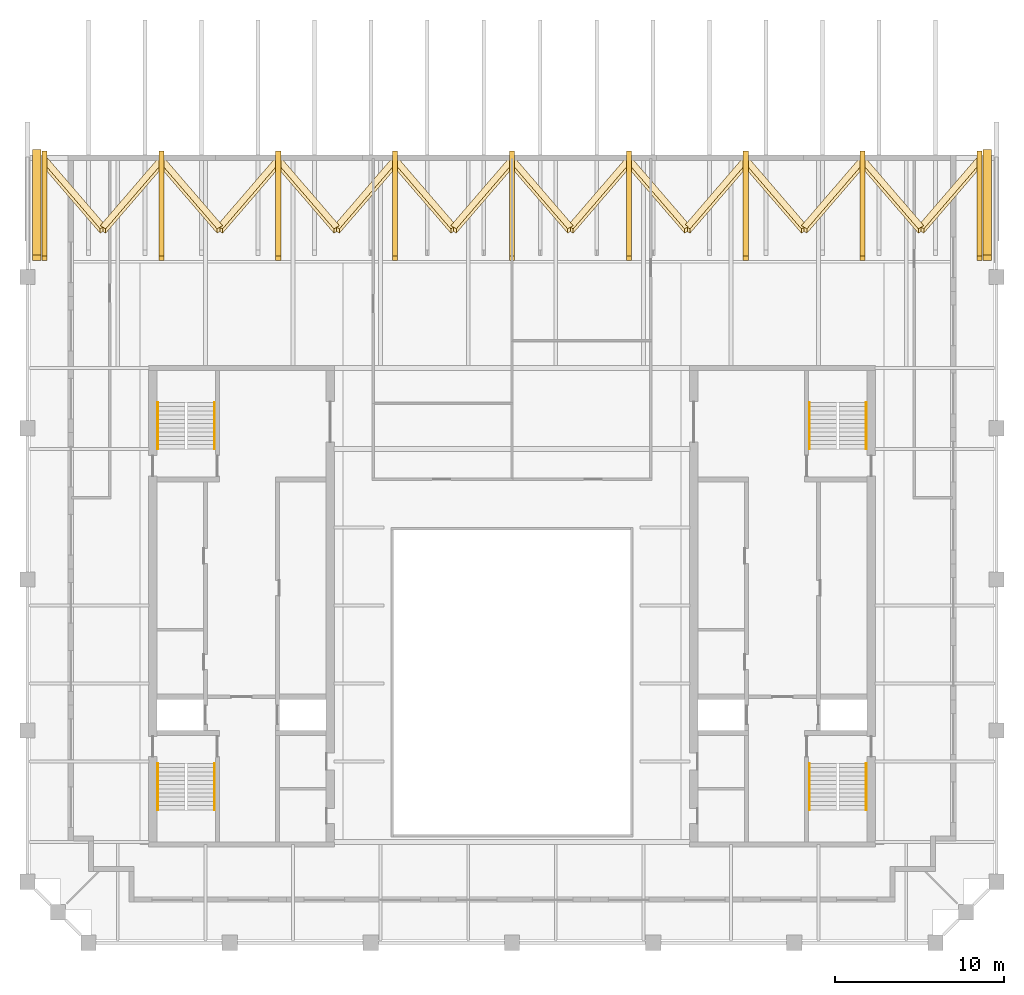
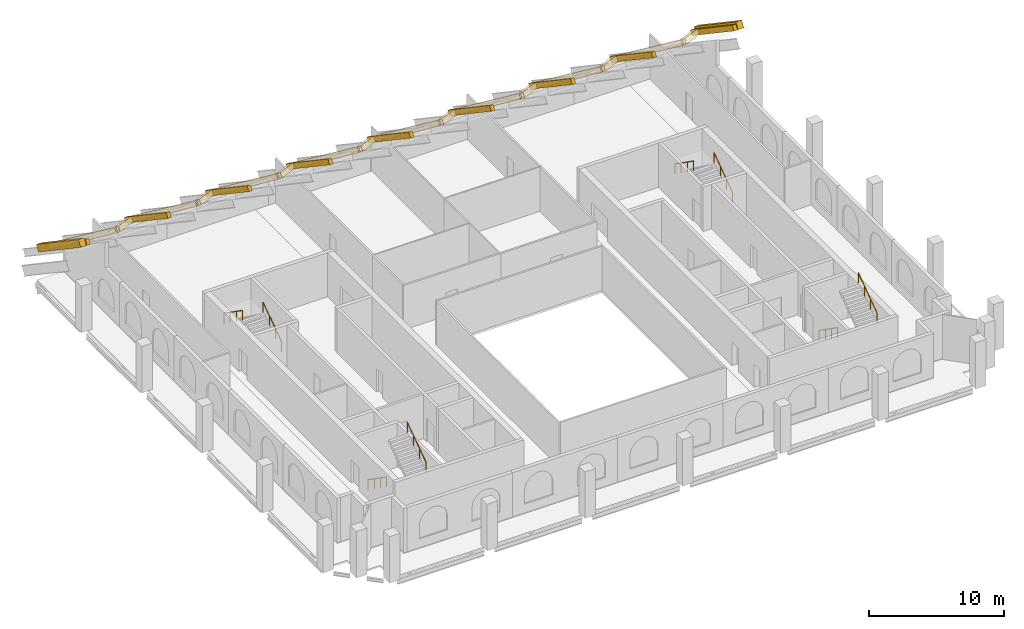
# One storey, part 8 of 8: 27 coverings, 8 railings.
"""IFC4 building model written with IfcOpenShell, lengths in metres."""

from ifc_helpers import new_model, si_unit, direction, frame, origin, origin_2d, place, context, subcontext, project, spatial, rectangle, circle, extrude, material, material_profile, profile_set, type_object, element, save


model = new_model("IFC4")

# Units and contexts
model_context = context("Model", 3, precision=1e-05, world=origin(), true_north=direction((0.0, 1.0)))
body_context = subcontext(model_context, "Body", "Model", "MODEL_VIEW")
ifc_project = project(units=[si_unit("LENGTHUNIT", "METRE"), si_unit("AREAUNIT", "SQUARE_METRE"), si_unit("VOLUMEUNIT", "CUBIC_METRE"), si_unit("PLANEANGLEUNIT", "RADIAN"), si_unit("MASSUNIT", "GRAM", prefix="KILO")], contexts=[model_context])

# Site, building, storey
site_placement = place(None, origin())
site = spatial("IfcSite", under=ifc_project, at=site_placement, CompositionType="ELEMENT")
building_placement = place(site_placement, origin())
building = spatial("IfcBuilding", under=site, at=building_placement, Name="Ogive Exchange Tower", CompositionType="ELEMENT")
storey_placement = place(building_placement, frame((0.0, 0.0, 381.60009765625)))
storey = spatial("IfcBuildingStorey", under=building, at=storey_placement, Name="C04", CompositionType="ELEMENT", Elevation=381.60009765625)

# Railings
ifc_material_1 = material(Name="Stainless steel", Category="steel")
railing_type = type_object("IfcRailingType", Name="Stair handrail 900", PredefinedType="HANDRAIL", material=ifc_material_1)
railing_1_placement = place(storey_placement, frame((-20.949951171875, 2.199951171875, 0.1748046875)))
element("IfcRailing", 1, at=railing_1_placement, inside=storey, type_object=railing_type, Name="C04 ST1 stair handrail 1", PredefinedType="HANDRAIL", context=body_context, shape_type="SweptSolid", body=[
    extrude(circle(Radius=0.02392578125, at=origin_2d()), frame((0.0, 0.0, 0.8759765625), z_axis=(0.0, -0.819225086817, 0.573472106672), x_axis=(1.0, 0.0, 0.0)), (0.0, 0.0, 1.0), 3.35693359375),
    extrude(circle(Radius=0.02099609375, at=origin_2d()), origin(), (0.0, 0.0, 1.0), 0.851806640625),
    extrude(circle(Radius=0.02099609375, at=origin_2d()), frame((0.0, -0.916748046875, 0.6416015625)), (0.0, 0.0, 1.0), 0.851806640625),
    extrude(circle(Radius=0.02099609375, at=origin_2d()), frame((0.0, -1.833251953125, 1.283447265625)), (0.0, 0.0, 1.0), 0.851806640625),
    extrude(circle(Radius=0.02099609375, at=origin_2d()), frame((0.0, -2.75, 1.925048828125)), (0.0, 0.0, 1.0), 0.851806640625),
])
for number, where, name in (
    (2, (-17.60009765625, -0.550048828125, 2.27490234375), "C04 ST1 stair handrail 2"),
    (3, (-17.60009765625, 20.800048828125, 0.1748046875), "C04 ST2 stair handrail 1"),
):
    element("IfcRailing", number, at=place(storey_placement, frame(where)), inside=storey, type_object=railing_type, Name=name, PredefinedType="HANDRAIL", context=body_context, shape_type="SweptSolid", body=[
        extrude(circle(Radius=0.02392578125, at=origin_2d()), frame((0.0, 0.0, 0.8759765625), z_axis=(0.0, 0.819225086817, 0.573472106672), x_axis=(-1.0, 0.0, 0.0)), (0.0, 0.0, 1.0), 3.35693359375),
        extrude(circle(Radius=0.02099609375, at=origin_2d()), origin(), (0.0, 0.0, 1.0), 0.851806640625),
        extrude(circle(Radius=0.02099609375, at=origin_2d()), frame((0.0, 0.916748046875, 0.6416015625)), (0.0, 0.0, 1.0), 0.851806640625),
        extrude(circle(Radius=0.02099609375, at=origin_2d()), frame((0.0, 1.833251953125, 1.283447265625)), (0.0, 0.0, 1.0), 0.851806640625),
        extrude(circle(Radius=0.02099609375, at=origin_2d()), frame((0.0, 2.75, 1.925048828125)), (0.0, 0.0, 1.0), 0.851806640625),
    ])
for number, where, name in (
    (4, (-20.949951171875, 23.550048828125, 2.27490234375), "C04 ST2 stair handrail 2"),
    (5, (17.60009765625, 2.199951171875, 0.1748046875), "C04 ST3 stair handrail 1"),
):
    element("IfcRailing", number, at=place(storey_placement, frame(where)), inside=storey, type_object=railing_type, Name=name, PredefinedType="HANDRAIL", context=body_context, shape_type="SweptSolid", body=[
        extrude(circle(Radius=0.02392578125, at=origin_2d()), frame((0.0, 0.0, 0.8759765625), z_axis=(0.0, -0.819225086817, 0.573472106672), x_axis=(1.0, 0.0, 0.0)), (0.0, 0.0, 1.0), 3.35693359375),
        extrude(circle(Radius=0.02099609375, at=origin_2d()), origin(), (0.0, 0.0, 1.0), 0.851806640625),
        extrude(circle(Radius=0.02099609375, at=origin_2d()), frame((0.0, -0.916748046875, 0.6416015625)), (0.0, 0.0, 1.0), 0.851806640625),
        extrude(circle(Radius=0.02099609375, at=origin_2d()), frame((0.0, -1.833251953125, 1.283447265625)), (0.0, 0.0, 1.0), 0.851806640625),
        extrude(circle(Radius=0.02099609375, at=origin_2d()), frame((0.0, -2.75, 1.925048828125)), (0.0, 0.0, 1.0), 0.851806640625),
    ])
for number, where, name in (
    (6, (20.949951171875, -0.550048828125, 2.27490234375), "C04 ST3 stair handrail 2"),
    (7, (20.949951171875, 20.800048828125, 0.1748046875), "C04 ST4 stair handrail 1"),
):
    element("IfcRailing", number, at=place(storey_placement, frame(where)), inside=storey, type_object=railing_type, Name=name, PredefinedType="HANDRAIL", context=body_context, shape_type="SweptSolid", body=[
        extrude(circle(Radius=0.02392578125, at=origin_2d()), frame((0.0, 0.0, 0.8759765625), z_axis=(0.0, 0.819225086817, 0.573472106672), x_axis=(-1.0, 0.0, 0.0)), (0.0, 0.0, 1.0), 3.35693359375),
        extrude(circle(Radius=0.02099609375, at=origin_2d()), origin(), (0.0, 0.0, 1.0), 0.851806640625),
        extrude(circle(Radius=0.02099609375, at=origin_2d()), frame((0.0, 0.916748046875, 0.6416015625)), (0.0, 0.0, 1.0), 0.851806640625),
        extrude(circle(Radius=0.02099609375, at=origin_2d()), frame((0.0, 1.833251953125, 1.283447265625)), (0.0, 0.0, 1.0), 0.851806640625),
        extrude(circle(Radius=0.02099609375, at=origin_2d()), frame((0.0, 2.75, 1.925048828125)), (0.0, 0.0, 1.0), 0.851806640625),
    ])
railing_2_placement = place(storey_placement, frame((17.60009765625, 23.550048828125, 2.27490234375)))
element("IfcRailing", 8, at=railing_2_placement, inside=storey, type_object=railing_type, Name="C04 ST4 stair handrail 2", PredefinedType="HANDRAIL", context=body_context, shape_type="SweptSolid", body=[
    extrude(circle(Radius=0.02392578125, at=origin_2d()), frame((0.0, 0.0, 0.8759765625), z_axis=(0.0, -0.819225086817, 0.573472106672), x_axis=(1.0, 0.0, 0.0)), (0.0, 0.0, 1.0), 3.35693359375),
    extrude(circle(Radius=0.02099609375, at=origin_2d()), origin(), (0.0, 0.0, 1.0), 0.851806640625),
    extrude(circle(Radius=0.02099609375, at=origin_2d()), frame((0.0, -0.916748046875, 0.6416015625)), (0.0, 0.0, 1.0), 0.851806640625),
    extrude(circle(Radius=0.02099609375, at=origin_2d()), frame((0.0, -1.833251953125, 1.283447265625)), (0.0, 0.0, 1.0), 0.851806640625),
    extrude(circle(Radius=0.02099609375, at=origin_2d()), frame((0.0, -2.75, 1.925048828125)), (0.0, 0.0, 1.0), 0.851806640625),
])

# Coverings
ifc_material_2 = material(Name="Limestone cladding on precast concrete", Category="masonry")
ifc_material_profile_1 = material_profile(ifc_material_2, rectangle(XDim=0.5, YDim=0.60009765625, at=origin_2d()), Name="CORNICE 500 x 600")
ifc_profile_set_1 = profile_set([ifc_material_profile_1], Name="Limestone cladding on precast concrete")
covering_type_1 = type_object("IfcCoveringType", Name="Stone cornice course 500 x 600", PredefinedType="CLADDING", material=ifc_profile_set_1)
for number, where, z_axis, x_axis, name in (
    (9, (-28.10009765625, 32.114990234375, 6.848876953125), (0.0, 0.82905285538, -0.559170245083), (-1.0, 0.0, 0.0), "Stone cornice course"),
    (10, (28.10009765625, 32.114990234375, 6.848876953125), (0.0, 0.82905285538, -0.559170245083), (-1.0, 0.0, 0.0), "Stone cornice course"),
):
    element("IfcCovering", number, at=place(storey_placement, frame(where, z_axis=z_axis, x_axis=x_axis)), inside=storey, type_object=covering_type_1, Name=name, PredefinedType="CLADDING", context=body_context, shape_type="SweptSolid", body=[
        extrude(rectangle(XDim=0.5, YDim=0.60009765625, at=origin_2d()), origin(), (0.0, 0.0, 1.0), 7.510986328125),
    ])
ifc_material_profile_2 = material_profile(ifc_material_2, rectangle(XDim=0.300048828125, YDim=0.449951171875, at=origin_2d()), Name="RIB 300 x 450")
ifc_profile_set_2 = profile_set([ifc_material_profile_2], Name="Limestone cladding on precast concrete")
covering_type_2 = type_object("IfcCoveringType", Name="Stone roof rib 300 x 450", PredefinedType="CLADDING", material=ifc_profile_set_2)
for number, where, z_axis, x_axis, name in (
    (11, (-27.64990234375, 38.300048828125, 2.5869140625), (0.0, -0.829072479306, 0.5591411486), (1.0, 0.0, 0.0), "Stone roof rib"),
    (12, (-20.737060546875, 38.300048828125, 2.5869140625), (0.0, -0.829072479306, 0.5591411486), (1.0, 0.0, 0.0), "Stone roof rib"),
    (13, (-13.824951171875, 38.300048828125, 2.5869140625), (0.0, -0.829072479306, 0.5591411486), (1.0, 0.0, 0.0), "Stone roof rib"),
    (14, (-6.9130859375, 38.300048828125, 2.5869140625), (0.0, -0.829072479306, 0.5591411486), (1.0, 0.0, 0.0), "Stone roof rib"),
    (15, (0.0, 38.300048828125, 2.5869140625), (0.0, -0.829072479306, 0.5591411486), (1.0, 0.0, 0.0), "Stone roof rib"),
    (16, (6.9130859375, 38.300048828125, 2.5869140625), (0.0, -0.829072479306, 0.5591411486), (1.0, 0.0, 0.0), "Stone roof rib"),
    (17, (13.824951171875, 38.300048828125, 2.5869140625), (0.0, -0.829072479306, 0.5591411486), (1.0, 0.0, 0.0), "Stone roof rib"),
    (18, (20.737060546875, 38.300048828125, 2.5869140625), (0.0, -0.829072479306, 0.5591411486), (1.0, 0.0, 0.0), "Stone roof rib"),
    (19, (27.64990234375, 38.300048828125, 2.5869140625), (0.0, -0.829072479306, 0.5591411486), (1.0, 0.0, 0.0), "Stone roof rib"),
):
    element("IfcCovering", number, at=place(storey_placement, frame(where, z_axis=z_axis, x_axis=x_axis)), inside=storey, type_object=covering_type_2, Name=name, PredefinedType="CLADDING", context=body_context, shape_type="SweptSolid", body=[
        extrude(rectangle(XDim=0.300048828125, YDim=0.449951171875, at=origin_2d()), origin(), (0.0, 0.0, 1.0), 7.509765625),
    ])
ifc_material_profile_3 = material_profile(ifc_material_2, rectangle(XDim=0.39990234375, YDim=0.449951171875, at=origin_2d()), Name="TRACERY 400 x 450")
ifc_profile_set_3 = profile_set([ifc_material_profile_3], Name="Limestone cladding on precast concrete")
covering_type_3 = type_object("IfcCoveringType", Name="Stone tracery arch 400 x 450", PredefinedType="CLADDING", material=ifc_profile_set_3)
covering_1_placement = place(storey_placement, frame((-27.64990234375, 37.800048828125, 2.923828125), z_axis=(0.581147534027, -0.674673078535, 0.455064589696), x_axis=(0.813798219588, 0.481769317244, -0.325008896428)))
element("IfcCovering", 20, at=covering_1_placement, inside=storey, type_object=covering_type_3, Name="Stone tracery arch", PredefinedType="CLADDING", context=body_context, shape_type="SweptSolid", body=[
    extrude(rectangle(XDim=0.39990234375, YDim=0.449951171875, at=origin_2d()), origin(), (0.0, 0.0, 1.0), 5.946533203125),
])
covering_2_placement = place(storey_placement, frame((-20.737060546875, 37.800048828125, 2.923828125), z_axis=(-0.581283459948, -0.674592591619, 0.455010301558), x_axis=(0.813701135867, -0.481926443477, 0.325019021853)))
element("IfcCovering", 21, at=covering_2_placement, inside=storey, type_object=covering_type_3, Name="Stone tracery arch", PredefinedType="CLADDING", context=body_context, shape_type="SweptSolid", body=[
    extrude(rectangle(XDim=0.39990234375, YDim=0.449951171875, at=origin_2d()), origin(), (0.0, 0.0, 1.0), 5.947265625),
])
for number, where, z_axis, x_axis, name in (
    (22, (-20.737060546875, 37.800048828125, 2.923828125), (0.581174723103, -0.674656981121, 0.455053732048), (0.813778803618, 0.481820266966, -0.324981982766), "Stone tracery arch"),
    (23, (-13.824951171875, 37.800048828125, 2.923828125), (-0.581174723103, -0.674656981121, 0.455053732048), (0.813778803618, -0.481820266966, 0.324981982766), "Stone tracery arch"),
    (24, (-13.824951171875, 37.800048828125, 2.923828125), (0.581174723103, -0.674656981121, 0.455053732048), (0.813778803618, 0.481820266966, -0.324981982766), "Stone tracery arch"),
):
    element("IfcCovering", number, at=place(storey_placement, frame(where, z_axis=z_axis, x_axis=x_axis)), inside=storey, type_object=covering_type_3, Name=name, PredefinedType="CLADDING", context=body_context, shape_type="SweptSolid", body=[
        extrude(rectangle(XDim=0.39990234375, YDim=0.449951171875, at=origin_2d()), origin(), (0.0, 0.0, 1.0), 5.94677734375),
    ])
covering_3_placement = place(storey_placement, frame((-6.9130859375, 37.800048828125, 2.923828125), z_axis=(-0.581147534027, -0.674673078535, 0.455064589696), x_axis=(0.81379822044, -0.481788837022, 0.324979957735)))
element("IfcCovering", 25, at=covering_3_placement, inside=storey, type_object=covering_type_3, Name="Stone tracery arch", PredefinedType="CLADDING", context=body_context, shape_type="SweptSolid", body=[
    extrude(rectangle(XDim=0.39990234375, YDim=0.449951171875, at=origin_2d()), origin(), (0.0, 0.0, 1.0), 5.946533203125),
])
covering_4_placement = place(storey_placement, frame((-6.9130859375, 37.800048828125, 2.923828125), z_axis=(0.581174723103, -0.674656981121, 0.455053732048), x_axis=(0.813778803219, 0.481800747454, -0.325010921639)))
element("IfcCovering", 26, at=covering_4_placement, inside=storey, type_object=covering_type_3, Name="Stone tracery arch", PredefinedType="CLADDING", context=body_context, shape_type="SweptSolid", body=[
    extrude(rectangle(XDim=0.39990234375, YDim=0.449951171875, at=origin_2d()), origin(), (0.0, 0.0, 1.0), 5.94677734375),
])
for number, where, z_axis, x_axis, name in (
    (27, (0.0, 37.800048828125, 2.923828125), (-0.581283459948, -0.674592591619, 0.455010301558), (0.813701135867, -0.481926443477, 0.325019021853), "Stone tracery arch"),
    (28, (0.0, 37.800048828125, 2.923828125), (0.581283459948, -0.674592591619, 0.455010301558), (0.813701135867, 0.481926443477, -0.325019021853), "Stone tracery arch"),
):
    element("IfcCovering", number, at=place(storey_placement, frame(where, z_axis=z_axis, x_axis=x_axis)), inside=storey, type_object=covering_type_3, Name=name, PredefinedType="CLADDING", context=body_context, shape_type="SweptSolid", body=[
        extrude(rectangle(XDim=0.39990234375, YDim=0.449951171875, at=origin_2d()), origin(), (0.0, 0.0, 1.0), 5.947265625),
    ])
covering_5_placement = place(storey_placement, frame((6.9130859375, 37.800048828125, 2.923828125), z_axis=(-0.581174723103, -0.674656981121, 0.455053732048), x_axis=(0.813778803219, -0.481800747454, 0.325010921639)))
element("IfcCovering", 29, at=covering_5_placement, inside=storey, type_object=covering_type_3, Name="Stone tracery arch", PredefinedType="CLADDING", context=body_context, shape_type="SweptSolid", body=[
    extrude(rectangle(XDim=0.39990234375, YDim=0.449951171875, at=origin_2d()), origin(), (0.0, 0.0, 1.0), 5.94677734375),
])
covering_6_placement = place(storey_placement, frame((6.9130859375, 37.800048828125, 2.923828125), z_axis=(0.581147534027, -0.674673078535, 0.455064589696), x_axis=(0.81379822044, 0.481788837022, -0.324979957735)))
element("IfcCovering", 30, at=covering_6_placement, inside=storey, type_object=covering_type_3, Name="Stone tracery arch", PredefinedType="CLADDING", context=body_context, shape_type="SweptSolid", body=[
    extrude(rectangle(XDim=0.39990234375, YDim=0.449951171875, at=origin_2d()), origin(), (0.0, 0.0, 1.0), 5.946533203125),
])
for number, where, z_axis, x_axis, name in (
    (31, (13.824951171875, 37.800048828125, 2.923828125), (-0.581174723103, -0.674656981121, 0.455053732048), (0.813778803618, -0.481820266966, 0.324981982766), "Stone tracery arch"),
    (32, (13.824951171875, 37.800048828125, 2.923828125), (0.581174723103, -0.674656981121, 0.455053732048), (0.813778803618, 0.481820266966, -0.324981982766), "Stone tracery arch"),
    (33, (20.737060546875, 37.800048828125, 2.923828125), (-0.581174723103, -0.674656981121, 0.455053732048), (0.813778803618, -0.481820266966, 0.324981982766), "Stone tracery arch"),
):
    element("IfcCovering", number, at=place(storey_placement, frame(where, z_axis=z_axis, x_axis=x_axis)), inside=storey, type_object=covering_type_3, Name=name, PredefinedType="CLADDING", context=body_context, shape_type="SweptSolid", body=[
        extrude(rectangle(XDim=0.39990234375, YDim=0.449951171875, at=origin_2d()), origin(), (0.0, 0.0, 1.0), 5.94677734375),
    ])
covering_7_placement = place(storey_placement, frame((20.737060546875, 37.800048828125, 2.923828125), z_axis=(0.581283459948, -0.674592591619, 0.455010301558), x_axis=(0.813701135867, 0.481926443477, -0.325019021853)))
element("IfcCovering", 34, at=covering_7_placement, inside=storey, type_object=covering_type_3, Name="Stone tracery arch", PredefinedType="CLADDING", context=body_context, shape_type="SweptSolid", body=[
    extrude(rectangle(XDim=0.39990234375, YDim=0.449951171875, at=origin_2d()), origin(), (0.0, 0.0, 1.0), 5.947265625),
])
covering_8_placement = place(storey_placement, frame((27.64990234375, 37.800048828125, 2.923828125), z_axis=(-0.581147534027, -0.674673078535, 0.455064589696), x_axis=(0.813798219588, -0.481769317244, 0.325008896428)))
element("IfcCovering", 35, at=covering_8_placement, inside=storey, type_object=covering_type_3, Name="Stone tracery arch", PredefinedType="CLADDING", context=body_context, shape_type="SweptSolid", body=[
    extrude(rectangle(XDim=0.39990234375, YDim=0.449951171875, at=origin_2d()), origin(), (0.0, 0.0, 1.0), 5.946533203125),
])

save(model, "model.ifc")
